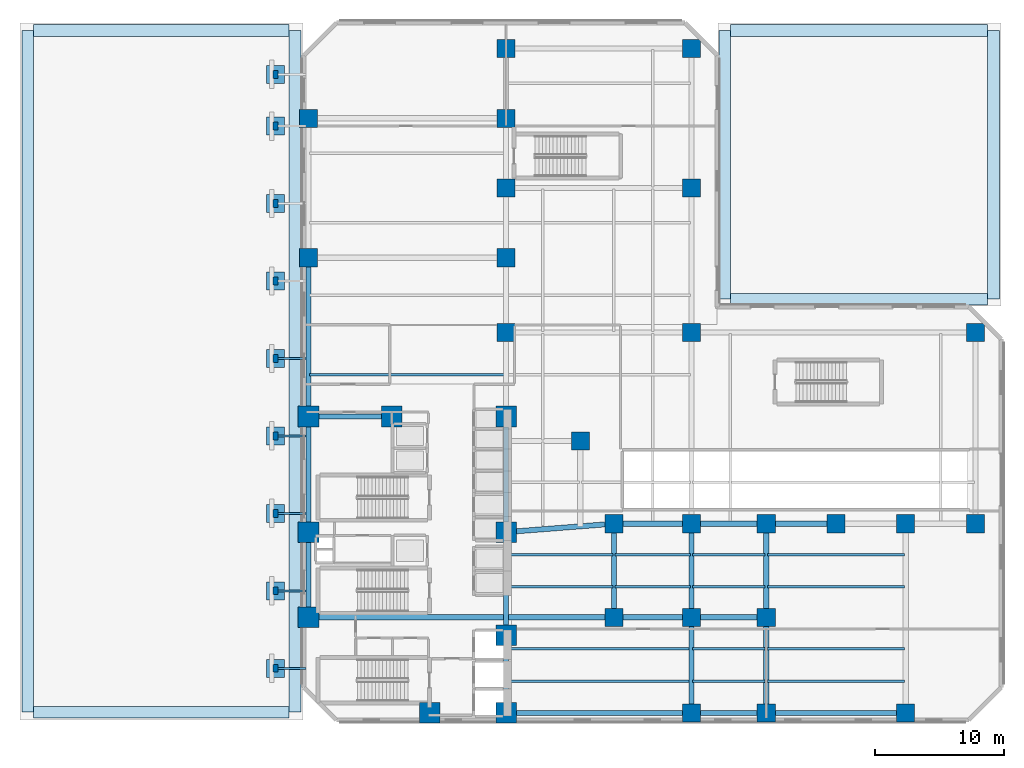
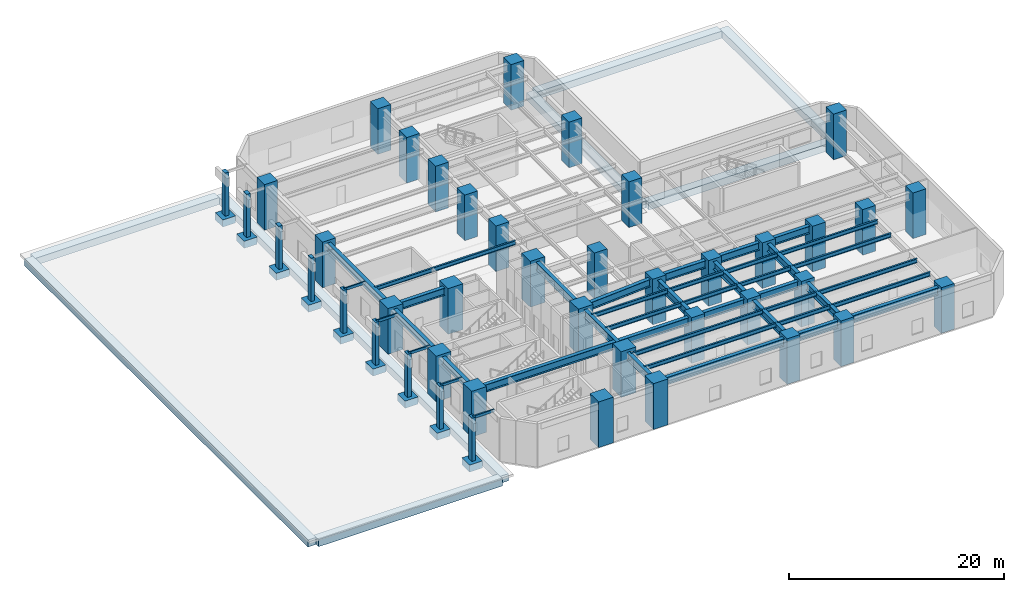
# One storey, part 1 of 14: 42 beams, 42 columns, 17 footings.
"""IFC4 building model written with IfcOpenShell, lengths in metres."""

from ifc_helpers import new_model, si_unit, direction, frame, origin, origin_2d, place, context, subcontext, project, spatial, rectangle, hollow_rectangle, i_section, extrude, material, layer, layer_set, material_profile, profile_set, type_object, element, save


model = new_model("IFC4")

# Units and contexts
model_context = context("Model", 3, precision=1e-05, world=origin(), true_north=direction((0.0, 1.0)))
body_context = subcontext(model_context, "Body", "Model", "MODEL_VIEW")
ifc_project = project(units=[si_unit("LENGTHUNIT", "METRE"), si_unit("AREAUNIT", "SQUARE_METRE"), si_unit("VOLUMEUNIT", "CUBIC_METRE"), si_unit("PLANEANGLEUNIT", "RADIAN"), si_unit("MASSUNIT", "GRAM", prefix="KILO")], contexts=[model_context])

# Site, building, storey
site_placement = place(None, origin())
site = spatial("IfcSite", under=ifc_project, at=site_placement, CompositionType="ELEMENT")
building_placement = place(site_placement, origin())
building = spatial("IfcBuilding", under=site, at=building_placement, Name="Mawjaban Terraces University", CompositionType="ELEMENT")
storey_placement = place(building_placement, origin())
storey = spatial("IfcBuildingStorey", under=building, at=storey_placement, Name="L00", CompositionType="ELEMENT", Elevation=0.0)

# Footings
ifc_material_1 = material(Name="Concrete C50/60", Category="concrete")
ifc_layer_1 = layer(ifc_material_1, 0.800048828125)
ifc_layer_set_1 = layer_set([ifc_layer_1], Name="Concrete C50/60")
footing_type_1 = type_object("IfcFootingType", Name="PlazaArcadePad_1400", PredefinedType="PAD_FOOTING", material=ifc_layer_set_1)
for number, where, z_axis, x_axis, name in (
    (1, (19.800048828125, 4.0, -0.7998046875), (0.0, 0.0, 1.0), (1.0, 0.0, 0.0), "Plaza Arcade Pad Footing 01"),
    (2, (19.800048828125, 10.0, -0.7998046875), (0.0, 0.0, 1.0), (1.0, 0.0, 0.0), "Plaza Arcade Pad Footing 02"),
    (3, (19.800048828125, 16.0, -0.7998046875), (0.0, 0.0, 1.0), (1.0, 0.0, 0.0), "Plaza Arcade Pad Footing 03"),
    (4, (19.800048828125, 22.0, -0.7998046875), (0.0, 0.0, 1.0), (1.0, 0.0, 0.0), "Plaza Arcade Pad Footing 04"),
    (5, (19.800048828125, 28.0, -0.7998046875), (0.0, 0.0, 1.0), (1.0, 0.0, 0.0), "Plaza Arcade Pad Footing 05"),
    (6, (19.800048828125, 34.0, -0.7998046875), (0.0, 0.0, 1.0), (1.0, 0.0, 0.0), "Plaza Arcade Pad Footing 06"),
    (7, (19.800048828125, 40.0, -0.7998046875), (0.0, 0.0, 1.0), (1.0, 0.0, 0.0), "Plaza Arcade Pad Footing 07"),
    (8, (19.800048828125, 46.0, -0.7998046875), (0.0, 0.0, 1.0), (1.0, 0.0, 0.0), "Plaza Arcade Pad Footing 08"),
    (9, (19.800048828125, 50.0, -0.7998046875), (0.0, 0.0, 1.0), (1.0, 0.0, 0.0), "Plaza Arcade Pad Footing 09"),
):
    element("IfcFooting", number, at=place(storey_placement, frame(where, z_axis=z_axis, x_axis=x_axis)), inside=storey, type_object=footing_type_1, Name=name, PredefinedType="PAD_FOOTING", context=body_context, shape_type="SweptSolid", body=[
        extrude(rectangle(XDim=1.39990234375, YDim=1.39990234375, at=origin_2d()), origin(), (0.0, 0.0, 1.0), 0.800048828125),
    ])
ifc_material_2 = material(Name="Concrete C40/50", Category="concrete")
ifc_layer_2 = layer(ifc_material_2, 0.800048828125)
ifc_layer_set_2 = layer_set([ifc_layer_2], Name="Concrete C40/50")
footing_type_2 = type_object("IfcFootingType", Name="PlazaStripFooting_900x800", PredefinedType="STRIP_FOOTING", material=ifc_layer_set_2)
for number, where, z_axis, x_axis, name in (
    (10, (0.60009765625, 27.0, -1.0498046875), (0.0, 0.0, 1.0), (1.0, 0.0, 0.0), "Plaza Grade Strip Footing PLZ-W-W"),
    (11, (21.300048828125, 27.0, -1.0498046875), (0.0, 0.0, 1.0), (1.0, 0.0, 0.0), "Plaza Grade Strip Footing PLZ-W-E"),
):
    element("IfcFooting", number, at=place(storey_placement, frame(where, z_axis=z_axis, x_axis=x_axis)), inside=storey, type_object=footing_type_2, Name=name, PredefinedType="STRIP_FOOTING", context=body_context, shape_type="SweptSolid", body=[
        extrude(rectangle(XDim=0.89990234375, YDim=52.800048828125, at=origin_2d()), origin(), (0.0, 0.0, 1.0), 0.800048828125),
    ])
for number, where, z_axis, x_axis, name in (
    (12, (10.949951171875, 0.60009765625, -1.0498046875), (0.0, 0.0, 1.0), (1.0, 0.0, 0.0), "Plaza Grade Strip Footing PLZ-W-S"),
    (13, (10.949951171875, 53.39990234375, -1.0498046875), (0.0, 0.0, 1.0), (1.0, 0.0, 0.0), "Plaza Grade Strip Footing PLZ-W-N"),
):
    element("IfcFooting", number, at=place(storey_placement, frame(where, z_axis=z_axis, x_axis=x_axis)), inside=storey, type_object=footing_type_2, Name=name, PredefinedType="STRIP_FOOTING", context=body_context, shape_type="SweptSolid", body=[
        extrude(rectangle(XDim=19.800048828125, YDim=0.89990234375, at=origin_2d()), origin(), (0.0, 0.0, 1.0), 0.800048828125),
    ])
for number, where, z_axis, x_axis, name in (
    (14, (54.60009765625, 43.0, -1.0498046875), (0.0, 0.0, 1.0), (1.0, 0.0, 0.0), "Plaza Grade Strip Footing PLZ-NE-W"),
    (15, (75.39990234375, 43.0, -1.0498046875), (0.0, 0.0, 1.0), (1.0, 0.0, 0.0), "Plaza Grade Strip Footing PLZ-NE-E"),
):
    element("IfcFooting", number, at=place(storey_placement, frame(where, z_axis=z_axis, x_axis=x_axis)), inside=storey, type_object=footing_type_2, Name=name, PredefinedType="STRIP_FOOTING", context=body_context, shape_type="SweptSolid", body=[
        extrude(rectangle(XDim=0.89990234375, YDim=20.800048828125, at=origin_2d()), origin(), (0.0, 0.0, 1.0), 0.800048828125),
    ])
for number, where, z_axis, x_axis, name in (
    (16, (65.0, 32.60009765625, -1.0498046875), (0.0, 0.0, 1.0), (1.0, 0.0, 0.0), "Plaza Grade Strip Footing PLZ-NE-S"),
    (17, (65.0, 53.39990234375, -1.0498046875), (0.0, 0.0, 1.0), (1.0, 0.0, 0.0), "Plaza Grade Strip Footing PLZ-NE-N"),
):
    element("IfcFooting", number, at=place(storey_placement, frame(where, z_axis=z_axis, x_axis=x_axis)), inside=storey, type_object=footing_type_2, Name=name, PredefinedType="STRIP_FOOTING", context=body_context, shape_type="SweptSolid", body=[
        extrude(rectangle(XDim=19.89990234375, YDim=0.89990234375, at=origin_2d()), origin(), (0.0, 0.0, 1.0), 0.800048828125),
    ])

# Columns
ifc_material_3 = material(Name="Concrete C70/85", Category="concrete")
ifc_material_profile_1 = material_profile(ifc_material_3, rectangle(XDim=1.39990234375, YDim=1.39990234375, at=origin_2d()), Name="RC1400X1400")
ifc_profile_set_1 = profile_set([ifc_material_profile_1], Name="Concrete C70/85")
column_type_1 = type_object("IfcColumnType", Name="Col_RC1400X1400", PredefinedType="COLUMN", material=ifc_profile_set_1)
for number, where, z_axis, x_axis, name in (
    (18, (46.0, 7.949951171875, 0.0), (0.0, 0.0, 1.0), (1.0, 0.0, 0.0), "L00 Column TE-460-080"),
    (19, (46.0, 15.199951171875, 0.0), (0.0, 0.0, 1.0), (1.0, 0.0, 0.0), "L00 Column TE-460-152"),
    (20, (52.0, 0.550048828125, 0.0), (0.0, 0.0, 1.0), (1.0, 0.0, 0.0), "L00 Column TE-520-005"),
    (21, (52.0, 7.949951171875, 0.0), (0.0, 0.0, 1.0), (1.0, 0.0, 0.0), "L00 Column TE-520-080"),
    (22, (52.0, 15.199951171875, 0.0), (0.0, 0.0, 1.0), (1.0, 0.0, 0.0), "L00 Column TE-520-152"),
    (23, (57.800048828125, 0.550048828125, 0.0), (0.0, 0.0, 1.0), (1.0, 0.0, 0.0), "L00 Column TE-578-005"),
    (24, (57.800048828125, 7.949951171875, 0.0), (0.0, 0.0, 1.0), (1.0, 0.0, 0.0), "L00 Column TE-578-080"),
    (25, (57.800048828125, 15.199951171875, 0.0), (0.0, 0.0, 1.0), (1.0, 0.0, 0.0), "L00 Column TE-578-152"),
    (26, (63.199951171875, 15.199951171875, 0.0), (0.0, 0.0, 1.0), (1.0, 0.0, 0.0), "L00 Column TE-632-152"),
    (27, (68.60009765625, 0.550048828125, 0.0), (0.0, 0.0, 1.0), (1.0, 0.0, 0.0), "L00 Column TE-686-005"),
    (28, (68.60009765625, 15.199951171875, 0.0), (0.0, 0.0, 1.0), (1.0, 0.0, 0.0), "L00 Column TE-686-152"),
    (29, (74.0, 15.199951171875, 0.0), (0.0, 0.0, 1.0), (1.0, 0.0, 0.0), "L00 Column TE-740-152"),
    (30, (37.64990234375, 30.0, 0.0), (0.0, 0.0, 1.0), (1.0, 0.0, 0.0), "L00 Column TN-376-300"),
    (31, (22.35009765625, 35.800048828125, 0.0), (0.0, 0.0, 1.0), (1.0, 0.0, 0.0), "L00 Column TN-223-358"),
    (32, (37.64990234375, 35.800048828125, 0.0), (0.0, 0.0, 1.0), (1.0, 0.0, 0.0), "L00 Column TN-376-358"),
    (33, (37.64990234375, 41.199951171875, 0.0), (0.0, 0.0, 1.0), (1.0, 0.0, 0.0), "L00 Column TN-376-412"),
    (34, (22.35009765625, 46.60009765625, 0.0), (0.0, 0.0, 1.0), (1.0, 0.0, 0.0), "L00 Column TN-223-466"),
    (35, (37.64990234375, 46.60009765625, 0.0), (0.0, 0.0, 1.0), (1.0, 0.0, 0.0), "L00 Column TN-376-466"),
    (36, (37.64990234375, 52.0, 0.0), (0.0, 0.0, 1.0), (1.0, 0.0, 0.0), "L00 Column TN-376-520"),
    (37, (43.39990234375, 21.60009765625, 0.0), (0.0, 0.0, 1.0), (1.0, 0.0, 0.0), "L00 Column TS-434-216"),
    (38, (52.0, 30.0, 0.0), (0.0, 0.0, 1.0), (1.0, 0.0, 0.0), "L00 Column PM-520-300"),
    (39, (74.0, 30.0, 0.0), (0.0, 0.0, 1.0), (1.0, 0.0, 0.0), "L00 Column PM-740-300"),
    (40, (52.0, 41.199951171875, 0.0), (0.0, 0.0, 1.0), (1.0, 0.0, 0.0), "L00 Column PM-520-412"),
    (41, (52.0, 52.0, 0.0), (0.0, 0.0, 1.0), (1.0, 0.0, 0.0), "L00 Column PM-520-520"),
):
    element("IfcColumn", number, at=place(storey_placement, frame(where, z_axis=z_axis, x_axis=x_axis)), inside=storey, type_object=column_type_1, Name=name, PredefinedType="COLUMN", context=body_context, shape_type="SweptSolid", body=[
        extrude(rectangle(XDim=1.39990234375, YDim=1.39990234375, at=origin_2d()), origin(), (0.0, 0.0, 1.0), 5.199951171875),
    ])
ifc_material_profile_2 = material_profile(ifc_material_3, rectangle(XDim=1.60009765625, YDim=1.60009765625, at=origin_2d()), Name="RC1600X1600")
ifc_profile_set_2 = profile_set([ifc_material_profile_2], Name="Concrete C70/85")
column_type_2 = type_object("IfcColumnType", Name="Col_RC1600X1600", PredefinedType="COLUMN", material=ifc_profile_set_2)
for number, where, z_axis, x_axis, name in (
    (42, (31.75, 0.550048828125, 0.0), (0.0, 0.0, 1.0), (1.0, 0.0, 0.0), "L00 Column CC2"),
    (43, (37.64990234375, 0.550048828125, 0.0), (0.0, 0.0, 1.0), (1.0, 0.0, 0.0), "L00 Column CC3"),
    (44, (22.35009765625, 7.949951171875, 0.0), (0.0, 0.0, 1.0), (1.0, 0.0, 0.0), "L00 Column CC4"),
    (45, (37.64990234375, 6.550048828125, 0.0), (0.0, 0.0, 1.0), (1.0, 0.0, 0.0), "L00 Column CC5"),
    (46, (22.35009765625, 14.550048828125, 0.0), (0.0, 0.0, 1.0), (1.0, 0.0, 0.0), "L00 Column CC6"),
    (47, (37.64990234375, 14.550048828125, 0.0), (0.0, 0.0, 1.0), (1.0, 0.0, 0.0), "L00 Column CC7"),
    (48, (22.35009765625, 23.5, 0.0), (0.0, 0.0, 1.0), (1.0, 0.0, 0.0), "L00 Column CC8"),
    (49, (28.800048828125, 23.5, 0.0), (0.0, 0.0, 1.0), (1.0, 0.0, 0.0), "L00 Column CC9"),
    (50, (37.64990234375, 23.5, 0.0), (0.0, 0.0, 1.0), (1.0, 0.0, 0.0), "L00 Column CC10"),
):
    element("IfcColumn", number, at=place(storey_placement, frame(where, z_axis=z_axis, x_axis=x_axis)), inside=storey, type_object=column_type_2, Name=name, PredefinedType="COLUMN", context=body_context, shape_type="SweptSolid", body=[
        extrude(rectangle(XDim=1.60009765625, YDim=1.60009765625, at=origin_2d()), origin(), (0.0, 0.0, 1.0), 5.199951171875),
    ])
ifc_material_profile_3 = material_profile(ifc_material_1, rectangle(XDim=0.39990234375, YDim=0.60009765625, at=origin_2d()), Name="PIL600X400")
ifc_profile_set_3 = profile_set([ifc_material_profile_3], Name="Concrete C50/60")
column_type_3 = type_object("IfcColumnType", Name="PlazaArcadePilaster_600x400", PredefinedType="PILASTER", material=ifc_profile_set_3)
for number, where, z_axis, x_axis, name in (
    (51, (19.800048828125, 4.0, 0.0), (0.0, 0.0, 1.0), (1.0, 0.0, 0.0), "L00 Plaza Colonnade Pilaster 01"),
    (52, (19.800048828125, 10.0, 0.0), (0.0, 0.0, 1.0), (1.0, 0.0, 0.0), "L00 Plaza Colonnade Pilaster 02"),
    (53, (19.800048828125, 16.0, 0.0), (0.0, 0.0, 1.0), (1.0, 0.0, 0.0), "L00 Plaza Colonnade Pilaster 03"),
    (54, (19.800048828125, 22.0, 0.0), (0.0, 0.0, 1.0), (1.0, 0.0, 0.0), "L00 Plaza Colonnade Pilaster 04"),
    (55, (19.800048828125, 28.0, 0.0), (0.0, 0.0, 1.0), (1.0, 0.0, 0.0), "L00 Plaza Colonnade Pilaster 05"),
    (56, (19.800048828125, 34.0, 0.0), (0.0, 0.0, 1.0), (1.0, 0.0, 0.0), "L00 Plaza Colonnade Pilaster 06"),
    (57, (19.800048828125, 40.0, 0.0), (0.0, 0.0, 1.0), (1.0, 0.0, 0.0), "L00 Plaza Colonnade Pilaster 07"),
    (58, (19.800048828125, 46.0, 0.0), (0.0, 0.0, 1.0), (1.0, 0.0, 0.0), "L00 Plaza Colonnade Pilaster 08"),
    (59, (19.800048828125, 50.0, 0.0), (0.0, 0.0, 1.0), (1.0, 0.0, 0.0), "L00 Plaza Colonnade Pilaster 09"),
):
    element("IfcColumn", number, at=place(storey_placement, frame(where, z_axis=z_axis, x_axis=x_axis)), inside=storey, type_object=column_type_3, Name=name, PredefinedType="PILASTER", context=body_context, shape_type="SweptSolid", body=[
        extrude(rectangle(XDim=0.39990234375, YDim=0.60009765625, at=origin_2d()), origin(), (0.0, 0.0, 1.0), 4.919921875),
    ])

# Beams
ifc_material_4 = material(Name="Steel EN 10210-1 S355J2H", Category="steel")
ifc_material_profile_4 = material_profile(ifc_material_4, hollow_rectangle(XDim=0.14990234375, YDim=0.300048828125, WallThickness=0.012451171875, at=origin_2d()), Name="RHS300X150X12.5")
ifc_profile_set_4 = profile_set([ifc_material_profile_4], Name="Steel EN 10210-1 S355J2H")
beam_type_1 = type_object("IfcBeamType", Name="BalconyCantileverSpandrel_RHS", PredefinedType="SPANDREL", material=ifc_profile_set_4)
for number, where, z_axis, x_axis, name in (
    (60, (19.800048828125, 4.0, 4.77001953125), (1.0, 0.0, 0.0), (0.0, 1.0, 0.0), "L00 Plaza Canopy Tie Beam 01"),
    (61, (19.800048828125, 10.0, 4.77001953125), (1.0, 0.0, 0.0), (0.0, 1.0, 0.0), "L00 Plaza Canopy Tie Beam 02"),
    (62, (19.800048828125, 16.0, 4.77001953125), (1.0, 0.0, 0.0), (0.0, 1.0, 0.0), "L00 Plaza Canopy Tie Beam 03"),
    (63, (19.800048828125, 22.0, 4.77001953125), (1.0, 0.0, 0.0), (0.0, 1.0, 0.0), "L00 Plaza Canopy Tie Beam 04"),
    (64, (19.800048828125, 28.0, 4.77001953125), (1.0, 0.0, 0.0), (0.0, 1.0, 0.0), "L00 Plaza Canopy Tie Beam 05"),
):
    element("IfcBeam", number, at=place(storey_placement, frame(where, z_axis=z_axis, x_axis=x_axis)), inside=storey, type_object=beam_type_1, Name=name, PredefinedType="SPANDREL", context=body_context, shape_type="SweptSolid", body=[
        extrude(hollow_rectangle(XDim=0.14990234375, YDim=0.300048828125, WallThickness=0.012451171875, at=origin_2d()), origin(), (0.0, 0.0, 1.0), 2.349853515625),
    ])
ifc_material_5 = material(Name="Steel ASTM A572 Grade 50", Category="steel")
ifc_material_profile_5 = material_profile(ifc_material_5, i_section(OverallWidth=0.39990234375, OverallDepth=0.85498046875, WebThickness=0.018310546875, FlangeThickness=0.029296875, at=origin_2d()), Name="W840X299")
ifc_profile_set_5 = profile_set([ifc_material_profile_5], Name="Steel ASTM A572 Grade 50")
beam_type_2 = type_object("IfcBeamType", Name="Beam_B_W840X299", PredefinedType="BEAM", material=ifc_profile_set_5)
beam_1_placement = place(storey_placement, frame((38.449951171875, 0.550048828125, 4.491943359375), z_axis=(1.0, 0.0, 0.0), x_axis=(0.0, 1.0, 0.0)))
element("IfcBeam", 65, at=beam_1_placement, inside=storey, type_object=beam_type_2, Name="L00 Beam BM-L00-EW-01", PredefinedType="BEAM", context=body_context, shape_type="SweptSolid", body=[
    extrude(i_section(OverallWidth=0.39990234375, OverallDepth=0.85498046875, WebThickness=0.018310546875, FlangeThickness=0.029296875, at=origin_2d()), origin(), (0.0, 0.0, 1.0), 12.85009765625),
])
beam_2_placement = place(storey_placement, frame((52.699951171875, 0.550048828125, 4.491943359375), z_axis=(1.0, 0.0, 0.0), x_axis=(0.0, 1.0, 0.0)))
element("IfcBeam", 66, at=beam_2_placement, inside=storey, type_object=beam_type_2, Name="L00 Beam BM-L00-EW-02", PredefinedType="BEAM", context=body_context, shape_type="SweptSolid", body=[
    extrude(i_section(OverallWidth=0.39990234375, OverallDepth=0.85498046875, WebThickness=0.018310546875, FlangeThickness=0.029296875, at=origin_2d()), origin(), (0.0, 0.0, 1.0), 4.400146484375),
])
beam_3_placement = place(storey_placement, frame((58.5, 0.550048828125, 4.491943359375), z_axis=(1.0, 0.0, 0.0), x_axis=(0.0, 1.0, 0.0)))
element("IfcBeam", 67, at=beam_3_placement, inside=storey, type_object=beam_type_2, Name="L00 Beam BM-L00-EW-03", PredefinedType="BEAM", context=body_context, shape_type="SweptSolid", body=[
    extrude(i_section(OverallWidth=0.39990234375, OverallDepth=0.85498046875, WebThickness=0.018310546875, FlangeThickness=0.029296875, at=origin_2d()), origin(), (0.0, 0.0, 1.0), 9.39990234375),
])
beam_4_placement = place(storey_placement, frame((23.14990234375, 7.949951171875, 4.491943359375), z_axis=(1.0, 0.0, 0.0), x_axis=(0.0, 1.0, 0.0)))
element("IfcBeam", 68, at=beam_4_placement, inside=storey, type_object=beam_type_2, Name="L00 Beam BM-L00-EW-04", PredefinedType="BEAM", context=body_context, shape_type="SweptSolid", body=[
    extrude(i_section(OverallWidth=0.39990234375, OverallDepth=0.85498046875, WebThickness=0.018310546875, FlangeThickness=0.029296875, at=origin_2d()), origin(), (0.0, 0.0, 1.0), 22.150146484375),
])
beam_5_placement = place(storey_placement, frame((46.699951171875, 7.949951171875, 4.491943359375), z_axis=(1.0, 0.0, 0.0), x_axis=(0.0, 1.0, 0.0)))
element("IfcBeam", 69, at=beam_5_placement, inside=storey, type_object=beam_type_2, Name="L00 Beam BM-L00-EW-05", PredefinedType="BEAM", context=body_context, shape_type="SweptSolid", body=[
    extrude(i_section(OverallWidth=0.39990234375, OverallDepth=0.85498046875, WebThickness=0.018310546875, FlangeThickness=0.029296875, at=origin_2d()), origin(), (0.0, 0.0, 1.0), 4.60009765625),
])
beam_6_placement = place(storey_placement, frame((52.699951171875, 7.949951171875, 4.491943359375), z_axis=(1.0, 0.0, 0.0), x_axis=(0.0, 1.0, 0.0)))
element("IfcBeam", 70, at=beam_6_placement, inside=storey, type_object=beam_type_2, Name="L00 Beam BM-L00-EW-06", PredefinedType="BEAM", context=body_context, shape_type="SweptSolid", body=[
    extrude(i_section(OverallWidth=0.39990234375, OverallDepth=0.85498046875, WebThickness=0.018310546875, FlangeThickness=0.029296875, at=origin_2d()), origin(), (0.0, 0.0, 1.0), 4.400146484375),
])
beam_7_placement = place(storey_placement, frame((46.699951171875, 15.199951171875, 4.491943359375), z_axis=(1.0, 0.0, 0.0), x_axis=(0.0, 1.0, 0.0)))
element("IfcBeam", 71, at=beam_7_placement, inside=storey, type_object=beam_type_2, Name="L00 Beam BM-L00-EW-07", PredefinedType="BEAM", context=body_context, shape_type="SweptSolid", body=[
    extrude(i_section(OverallWidth=0.39990234375, OverallDepth=0.85498046875, WebThickness=0.018310546875, FlangeThickness=0.029296875, at=origin_2d()), origin(), (0.0, 0.0, 1.0), 4.60009765625),
])
beam_8_placement = place(storey_placement, frame((52.699951171875, 15.199951171875, 4.491943359375), z_axis=(1.0, 0.0, 0.0), x_axis=(0.0, 1.0, 0.0)))
element("IfcBeam", 72, at=beam_8_placement, inside=storey, type_object=beam_type_2, Name="L00 Beam BM-L00-EW-08", PredefinedType="BEAM", context=body_context, shape_type="SweptSolid", body=[
    extrude(i_section(OverallWidth=0.39990234375, OverallDepth=0.85498046875, WebThickness=0.018310546875, FlangeThickness=0.029296875, at=origin_2d()), origin(), (0.0, 0.0, 1.0), 4.400146484375),
])
beam_9_placement = place(storey_placement, frame((58.5, 15.199951171875, 4.491943359375), z_axis=(1.0, 0.0, 0.0), x_axis=(0.0, 1.0, 0.0)))
element("IfcBeam", 73, at=beam_9_placement, inside=storey, type_object=beam_type_2, Name="L00 Beam BM-L00-EW-09", PredefinedType="BEAM", context=body_context, shape_type="SweptSolid", body=[
    extrude(i_section(OverallWidth=0.39990234375, OverallDepth=0.85498046875, WebThickness=0.018310546875, FlangeThickness=0.029296875, at=origin_2d()), origin(), (0.0, 0.0, 1.0), 4.0),
])
beam_10_placement = place(storey_placement, frame((23.14990234375, 23.5, 4.491943359375), z_axis=(1.0, 0.0, 0.0), x_axis=(0.0, 1.0, 0.0)))
element("IfcBeam", 74, at=beam_10_placement, inside=storey, type_object=beam_type_2, Name="L00 Beam BM-L00-EW-12", PredefinedType="BEAM", context=body_context, shape_type="SweptSolid", body=[
    extrude(i_section(OverallWidth=0.39990234375, OverallDepth=0.85498046875, WebThickness=0.018310546875, FlangeThickness=0.029296875, at=origin_2d()), origin(), (0.0, 0.0, 1.0), 4.85009765625),
])
beam_11_placement = place(storey_placement, frame((22.35009765625, 8.75, 4.491943359375), z_axis=(0.0, 1.0, 0.0), x_axis=(-1.0, 0.0, 0.0)))
element("IfcBeam", 75, at=beam_11_placement, inside=storey, type_object=beam_type_2, Name="L00 Beam BM-L00-NS-01", PredefinedType="BEAM", context=body_context, shape_type="SweptSolid", body=[
    extrude(i_section(OverallWidth=0.39990234375, OverallDepth=0.85498046875, WebThickness=0.018310546875, FlangeThickness=0.029296875, at=origin_2d()), origin(), (0.0, 0.0, 1.0), 5.0),
])
beam_12_placement = place(storey_placement, frame((22.35009765625, 15.35009765625, 4.491943359375), z_axis=(0.0, 1.0, 0.0), x_axis=(-1.0, 0.0, 0.0)))
element("IfcBeam", 76, at=beam_12_placement, inside=storey, type_object=beam_type_2, Name="L00 Beam BM-L00-NS-02", PredefinedType="BEAM", context=body_context, shape_type="SweptSolid", body=[
    extrude(i_section(OverallWidth=0.39990234375, OverallDepth=0.85498046875, WebThickness=0.018310546875, FlangeThickness=0.029296875, at=origin_2d()), origin(), (0.0, 0.0, 1.0), 7.349853515625),
])
beam_13_placement = place(storey_placement, frame((22.35009765625, 24.300048828125, 4.491943359375), z_axis=(0.0, 1.0, 0.0), x_axis=(-1.0, 0.0, 0.0)))
element("IfcBeam", 77, at=beam_13_placement, inside=storey, type_object=beam_type_2, Name="L00 Beam BM-L00-NS-03", PredefinedType="BEAM", context=body_context, shape_type="SweptSolid", body=[
    extrude(i_section(OverallWidth=0.39990234375, OverallDepth=0.85498046875, WebThickness=0.018310546875, FlangeThickness=0.029296875, at=origin_2d()), origin(), (0.0, 0.0, 1.0), 10.800048828125),
])
beam_14_placement = place(storey_placement, frame((37.64990234375, 1.35009765625, 4.491943359375), z_axis=(0.0, 1.0, 0.0), x_axis=(-1.0, 0.0, 0.0)))
element("IfcBeam", 78, at=beam_14_placement, inside=storey, type_object=beam_type_2, Name="L00 Beam BM-L00-NS-05", PredefinedType="BEAM", context=body_context, shape_type="SweptSolid", body=[
    extrude(i_section(OverallWidth=0.39990234375, OverallDepth=0.85498046875, WebThickness=0.018310546875, FlangeThickness=0.029296875, at=origin_2d()), origin(), (0.0, 0.0, 1.0), 4.39990234375),
])
beam_15_placement = place(storey_placement, frame((37.64990234375, 7.35009765625, 4.491943359375), z_axis=(0.0, 1.0, 0.0), x_axis=(-1.0, 0.0, 0.0)))
element("IfcBeam", 79, at=beam_15_placement, inside=storey, type_object=beam_type_2, Name="L00 Beam BM-L00-NS-06", PredefinedType="BEAM", context=body_context, shape_type="SweptSolid", body=[
    extrude(i_section(OverallWidth=0.39990234375, OverallDepth=0.85498046875, WebThickness=0.018310546875, FlangeThickness=0.029296875, at=origin_2d()), origin(), (0.0, 0.0, 1.0), 6.39990234375),
])
beam_16_placement = place(storey_placement, frame((37.64990234375, 15.35009765625, 4.491943359375), z_axis=(0.0, 1.0, 0.0), x_axis=(-1.0, 0.0, 0.0)))
element("IfcBeam", 80, at=beam_16_placement, inside=storey, type_object=beam_type_2, Name="L00 Beam BM-L00-NS-07", PredefinedType="BEAM", context=body_context, shape_type="SweptSolid", body=[
    extrude(i_section(OverallWidth=0.39990234375, OverallDepth=0.85498046875, WebThickness=0.018310546875, FlangeThickness=0.029296875, at=origin_2d()), origin(), (0.0, 0.0, 1.0), 7.349853515625),
])
beam_17_placement = place(storey_placement, frame((46.0, 8.64990234375, 4.491943359375), z_axis=(0.0, 1.0, 0.0), x_axis=(-1.0, 0.0, 0.0)))
element("IfcBeam", 81, at=beam_17_placement, inside=storey, type_object=beam_type_2, Name="L00 Beam BM-L00-NS-13", PredefinedType="BEAM", context=body_context, shape_type="SweptSolid", body=[
    extrude(i_section(OverallWidth=0.39990234375, OverallDepth=0.85498046875, WebThickness=0.018310546875, FlangeThickness=0.029296875, at=origin_2d()), origin(), (0.0, 0.0, 1.0), 5.85009765625),
])
beam_18_placement = place(storey_placement, frame((52.0, 1.25, 4.491943359375), z_axis=(0.0, 1.0, 0.0), x_axis=(-1.0, 0.0, 0.0)))
element("IfcBeam", 82, at=beam_18_placement, inside=storey, type_object=beam_type_2, Name="L00 Beam BM-L00-NS-14", PredefinedType="BEAM", context=body_context, shape_type="SweptSolid", body=[
    extrude(i_section(OverallWidth=0.39990234375, OverallDepth=0.85498046875, WebThickness=0.018310546875, FlangeThickness=0.029296875, at=origin_2d()), origin(), (0.0, 0.0, 1.0), 6.0),
])
beam_19_placement = place(storey_placement, frame((52.0, 8.64990234375, 4.491943359375), z_axis=(0.0, 1.0, 0.0), x_axis=(-1.0, 0.0, 0.0)))
element("IfcBeam", 83, at=beam_19_placement, inside=storey, type_object=beam_type_2, Name="L00 Beam BM-L00-NS-15", PredefinedType="BEAM", context=body_context, shape_type="SweptSolid", body=[
    extrude(i_section(OverallWidth=0.39990234375, OverallDepth=0.85498046875, WebThickness=0.018310546875, FlangeThickness=0.029296875, at=origin_2d()), origin(), (0.0, 0.0, 1.0), 5.85009765625),
])
beam_20_placement = place(storey_placement, frame((57.800048828125, 1.25, 4.491943359375), z_axis=(0.0, 1.0, 0.0), x_axis=(-1.0, 0.0, 0.0)))
element("IfcBeam", 84, at=beam_20_placement, inside=storey, type_object=beam_type_2, Name="L00 Beam BM-L00-NS-19", PredefinedType="BEAM", context=body_context, shape_type="SweptSolid", body=[
    extrude(i_section(OverallWidth=0.39990234375, OverallDepth=0.85498046875, WebThickness=0.018310546875, FlangeThickness=0.029296875, at=origin_2d()), origin(), (0.0, 0.0, 1.0), 6.0),
])
beam_21_placement = place(storey_placement, frame((57.800048828125, 8.64990234375, 4.491943359375), z_axis=(0.0, 1.0, 0.0), x_axis=(-1.0, 0.0, 0.0)))
element("IfcBeam", 85, at=beam_21_placement, inside=storey, type_object=beam_type_2, Name="L00 Beam BM-L00-NS-20", PredefinedType="BEAM", context=body_context, shape_type="SweptSolid", body=[
    extrude(i_section(OverallWidth=0.39990234375, OverallDepth=0.85498046875, WebThickness=0.018310546875, FlangeThickness=0.029296875, at=origin_2d()), origin(), (0.0, 0.0, 1.0), 5.85009765625),
])
beam_22_placement = place(storey_placement, frame((38.447998046875, 14.612060546875, 4.491943359375), z_axis=(0.996979437792, 0.077665955348, 0.0), x_axis=(-0.077665955348, 0.996979437792, 0.0)))
element("IfcBeam", 86, at=beam_22_placement, inside=storey, type_object=beam_type_2, Name="L00 Beam BM-L00-CTIE", PredefinedType="BEAM", context=body_context, shape_type="SweptSolid", body=[
    extrude(i_section(OverallWidth=0.39990234375, OverallDepth=0.85498046875, WebThickness=0.018310546875, FlangeThickness=0.029296875, at=origin_2d()), origin(), (0.0, 0.0, 1.0), 6.874755859375),
])
ifc_material_profile_6 = material_profile(ifc_material_5, i_section(OverallWidth=0.194091796875, OverallDepth=0.468994140625, WebThickness=0.011474609375, FlangeThickness=0.0205078125, at=origin_2d()), Name="W460X106")
ifc_profile_set_6 = profile_set([ifc_material_profile_6], Name="Steel ASTM A572 Grade 50")
beam_type_3 = type_object("IfcBeamType", Name="Beam_J_W460X106", PredefinedType="JOIST", material=ifc_profile_set_6)
beam_23_placement = place(storey_placement, frame((37.72998046875, 3.0, 4.68603515625), z_axis=(1.0, 0.0, 0.0), x_axis=(0.0, 1.0, 0.0)))
element("IfcBeam", 87, at=beam_23_placement, inside=storey, type_object=beam_type_3, Name="L00 Composite Joist JST-L00-01", PredefinedType="JOIST", context=body_context, shape_type="SweptSolid", body=[
    extrude(i_section(OverallWidth=0.194091796875, OverallDepth=0.468994140625, WebThickness=0.011474609375, FlangeThickness=0.0205078125, at=origin_2d()), origin(), (0.0, 0.0, 1.0), 14.18994140625),
])
beam_24_placement = place(storey_placement, frame((52.080078125, 3.0, 4.68603515625), z_axis=(1.0, 0.0, 0.0), x_axis=(0.0, 1.0, 0.0)))
element("IfcBeam", 88, at=beam_24_placement, inside=storey, type_object=beam_type_3, Name="L00 Composite Joist JST-L00-02", PredefinedType="JOIST", context=body_context, shape_type="SweptSolid", body=[
    extrude(i_section(OverallWidth=0.194091796875, OverallDepth=0.468994140625, WebThickness=0.011474609375, FlangeThickness=0.0205078125, at=origin_2d()), origin(), (0.0, 0.0, 1.0), 5.639892578125),
])
beam_25_placement = place(storey_placement, frame((57.8798828125, 3.0, 4.68603515625), z_axis=(1.0, 0.0, 0.0), x_axis=(0.0, 1.0, 0.0)))
element("IfcBeam", 89, at=beam_25_placement, inside=storey, type_object=beam_type_3, Name="L00 Composite Joist JST-L00-03", PredefinedType="JOIST", context=body_context, shape_type="SweptSolid", body=[
    extrude(i_section(OverallWidth=0.194091796875, OverallDepth=0.468994140625, WebThickness=0.011474609375, FlangeThickness=0.0205078125, at=origin_2d()), origin(), (0.0, 0.0, 1.0), 10.64013671875),
])
beam_26_placement = place(storey_placement, frame((37.72998046875, 5.5, 4.68603515625), z_axis=(1.0, 0.0, 0.0), x_axis=(0.0, 1.0, 0.0)))
element("IfcBeam", 90, at=beam_26_placement, inside=storey, type_object=beam_type_3, Name="L00 Composite Joist JST-L00-04", PredefinedType="JOIST", context=body_context, shape_type="SweptSolid", body=[
    extrude(i_section(OverallWidth=0.194091796875, OverallDepth=0.468994140625, WebThickness=0.011474609375, FlangeThickness=0.0205078125, at=origin_2d()), origin(), (0.0, 0.0, 1.0), 14.18994140625),
])
beam_27_placement = place(storey_placement, frame((52.080078125, 5.5, 4.68603515625), z_axis=(1.0, 0.0, 0.0), x_axis=(0.0, 1.0, 0.0)))
element("IfcBeam", 91, at=beam_27_placement, inside=storey, type_object=beam_type_3, Name="L00 Composite Joist JST-L00-05", PredefinedType="JOIST", context=body_context, shape_type="SweptSolid", body=[
    extrude(i_section(OverallWidth=0.194091796875, OverallDepth=0.468994140625, WebThickness=0.011474609375, FlangeThickness=0.0205078125, at=origin_2d()), origin(), (0.0, 0.0, 1.0), 5.639892578125),
])
beam_28_placement = place(storey_placement, frame((57.8798828125, 5.5, 4.68603515625), z_axis=(1.0, 0.0, 0.0), x_axis=(0.0, 1.0, 0.0)))
element("IfcBeam", 92, at=beam_28_placement, inside=storey, type_object=beam_type_3, Name="L00 Composite Joist JST-L00-06", PredefinedType="JOIST", context=body_context, shape_type="SweptSolid", body=[
    extrude(i_section(OverallWidth=0.194091796875, OverallDepth=0.468994140625, WebThickness=0.011474609375, FlangeThickness=0.0205078125, at=origin_2d()), origin(), (0.0, 0.0, 1.0), 10.64013671875),
])
beam_29_placement = place(storey_placement, frame((37.72998046875, 10.300048828125, 4.68603515625), z_axis=(1.0, 0.0, 0.0), x_axis=(0.0, 1.0, 0.0)))
element("IfcBeam", 93, at=beam_29_placement, inside=storey, type_object=beam_type_3, Name="L00 Composite Joist JST-L00-07", PredefinedType="JOIST", context=body_context, shape_type="SweptSolid", body=[
    extrude(i_section(OverallWidth=0.194091796875, OverallDepth=0.468994140625, WebThickness=0.011474609375, FlangeThickness=0.0205078125, at=origin_2d()), origin(), (0.0, 0.0, 1.0), 8.18994140625),
])
beam_30_placement = place(storey_placement, frame((46.080078125, 10.300048828125, 4.68603515625), z_axis=(1.0, 0.0, 0.0), x_axis=(0.0, 1.0, 0.0)))
element("IfcBeam", 94, at=beam_30_placement, inside=storey, type_object=beam_type_3, Name="L00 Composite Joist JST-L00-08", PredefinedType="JOIST", context=body_context, shape_type="SweptSolid", body=[
    extrude(i_section(OverallWidth=0.194091796875, OverallDepth=0.468994140625, WebThickness=0.011474609375, FlangeThickness=0.0205078125, at=origin_2d()), origin(), (0.0, 0.0, 1.0), 5.83984375),
])
beam_31_placement = place(storey_placement, frame((52.080078125, 10.300048828125, 4.68603515625), z_axis=(1.0, 0.0, 0.0), x_axis=(0.0, 1.0, 0.0)))
element("IfcBeam", 95, at=beam_31_placement, inside=storey, type_object=beam_type_3, Name="L00 Composite Joist JST-L00-09", PredefinedType="JOIST", context=body_context, shape_type="SweptSolid", body=[
    extrude(i_section(OverallWidth=0.194091796875, OverallDepth=0.468994140625, WebThickness=0.011474609375, FlangeThickness=0.0205078125, at=origin_2d()), origin(), (0.0, 0.0, 1.0), 5.639892578125),
])
beam_32_placement = place(storey_placement, frame((57.8798828125, 10.300048828125, 4.68603515625), z_axis=(1.0, 0.0, 0.0), x_axis=(0.0, 1.0, 0.0)))
element("IfcBeam", 96, at=beam_32_placement, inside=storey, type_object=beam_type_3, Name="L00 Composite Joist JST-L00-10", PredefinedType="JOIST", context=body_context, shape_type="SweptSolid", body=[
    extrude(i_section(OverallWidth=0.194091796875, OverallDepth=0.468994140625, WebThickness=0.011474609375, FlangeThickness=0.0205078125, at=origin_2d()), origin(), (0.0, 0.0, 1.0), 10.64013671875),
])
beam_33_placement = place(storey_placement, frame((37.72998046875, 12.800048828125, 4.68603515625), z_axis=(1.0, 0.0, 0.0), x_axis=(0.0, 1.0, 0.0)))
element("IfcBeam", 97, at=beam_33_placement, inside=storey, type_object=beam_type_3, Name="L00 Composite Joist JST-L00-11", PredefinedType="JOIST", context=body_context, shape_type="SweptSolid", body=[
    extrude(i_section(OverallWidth=0.194091796875, OverallDepth=0.468994140625, WebThickness=0.011474609375, FlangeThickness=0.0205078125, at=origin_2d()), origin(), (0.0, 0.0, 1.0), 8.18994140625),
])
beam_34_placement = place(storey_placement, frame((46.080078125, 12.800048828125, 4.68603515625), z_axis=(1.0, 0.0, 0.0), x_axis=(0.0, 1.0, 0.0)))
element("IfcBeam", 98, at=beam_34_placement, inside=storey, type_object=beam_type_3, Name="L00 Composite Joist JST-L00-12", PredefinedType="JOIST", context=body_context, shape_type="SweptSolid", body=[
    extrude(i_section(OverallWidth=0.194091796875, OverallDepth=0.468994140625, WebThickness=0.011474609375, FlangeThickness=0.0205078125, at=origin_2d()), origin(), (0.0, 0.0, 1.0), 5.83984375),
])
beam_35_placement = place(storey_placement, frame((52.080078125, 12.800048828125, 4.68603515625), z_axis=(1.0, 0.0, 0.0), x_axis=(0.0, 1.0, 0.0)))
element("IfcBeam", 99, at=beam_35_placement, inside=storey, type_object=beam_type_3, Name="L00 Composite Joist JST-L00-13", PredefinedType="JOIST", context=body_context, shape_type="SweptSolid", body=[
    extrude(i_section(OverallWidth=0.194091796875, OverallDepth=0.468994140625, WebThickness=0.011474609375, FlangeThickness=0.0205078125, at=origin_2d()), origin(), (0.0, 0.0, 1.0), 5.639892578125),
])
beam_36_placement = place(storey_placement, frame((57.8798828125, 12.800048828125, 4.68603515625), z_axis=(1.0, 0.0, 0.0), x_axis=(0.0, 1.0, 0.0)))
element("IfcBeam", 100, at=beam_36_placement, inside=storey, type_object=beam_type_3, Name="L00 Composite Joist JST-L00-14", PredefinedType="JOIST", context=body_context, shape_type="SweptSolid", body=[
    extrude(i_section(OverallWidth=0.194091796875, OverallDepth=0.468994140625, WebThickness=0.011474609375, FlangeThickness=0.0205078125, at=origin_2d()), origin(), (0.0, 0.0, 1.0), 10.64013671875),
])
beam_37_placement = place(storey_placement, frame((22.429931640625, 26.75, 4.68603515625), z_axis=(1.0, 0.0, 0.0), x_axis=(0.0, 1.0, 0.0)))
element("IfcBeam", 101, at=beam_37_placement, inside=storey, type_object=beam_type_3, Name="L00 Composite Joist JST-L00-18", PredefinedType="JOIST", context=body_context, shape_type="SweptSolid", body=[
    extrude(i_section(OverallWidth=0.194091796875, OverallDepth=0.468994140625, WebThickness=0.011474609375, FlangeThickness=0.0205078125, at=origin_2d()), origin(), (0.0, 0.0, 1.0), 15.14013671875),
])

save(model, "model.ifc")
